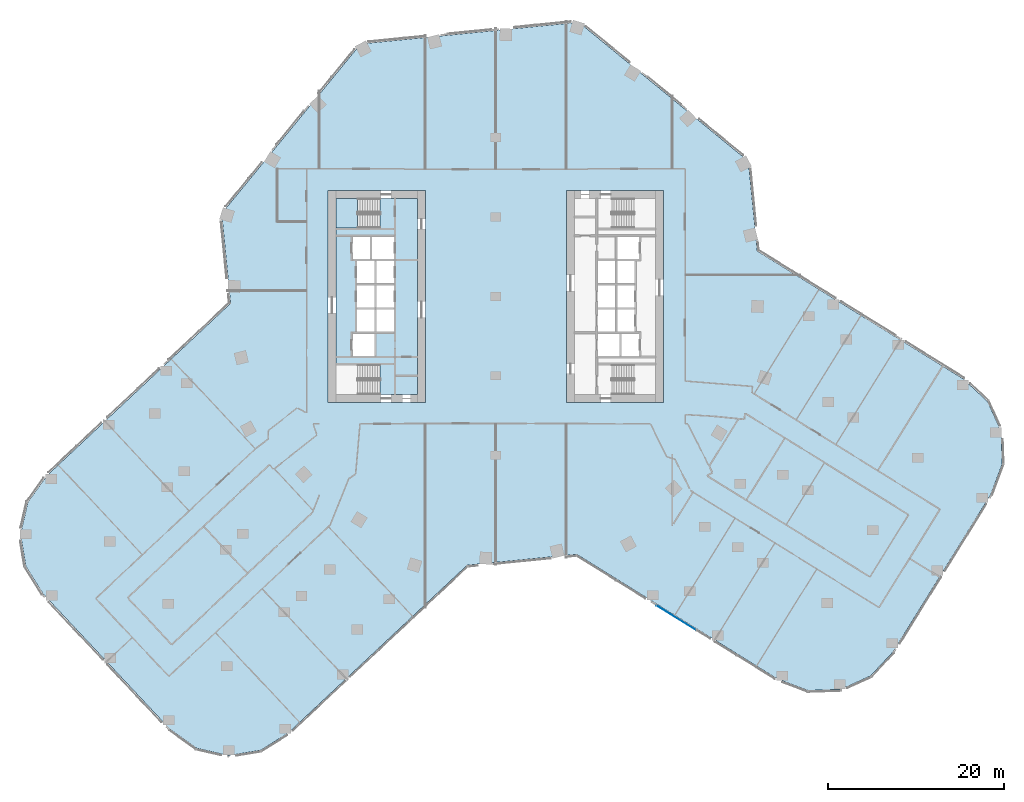
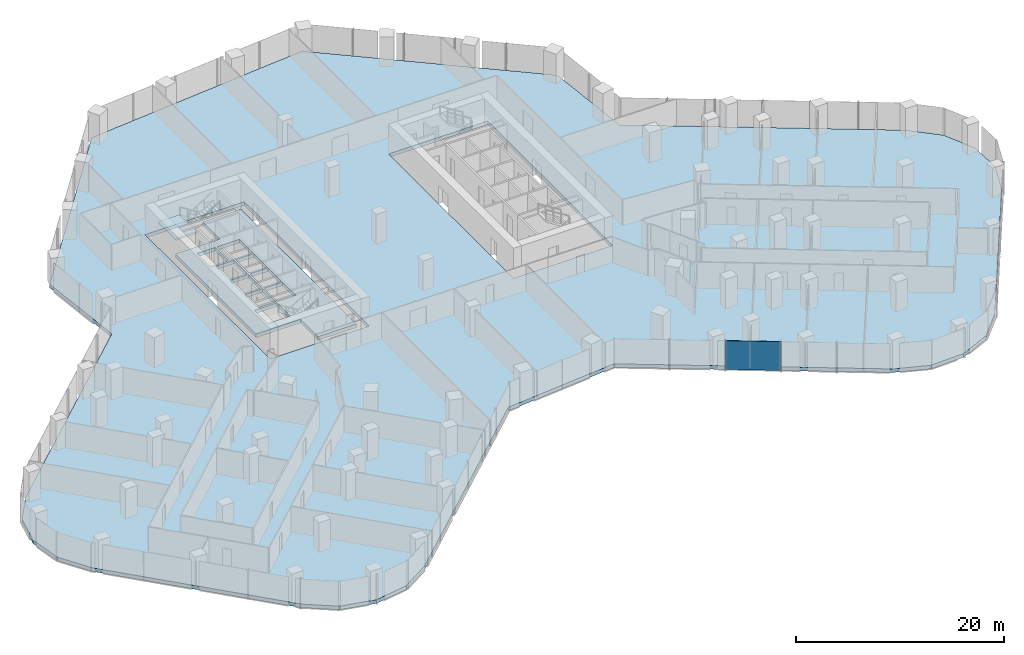
# One storey, part 20 of 34: 3 slabs, 1 plate, 2 elements without a shape of their own.
"""IFC4 building model written with IfcOpenShell, lengths in metres."""

from ifc_helpers import new_model, si_unit, direction, frame, origin, origin_2d, place, context, subcontext, project, spatial, polyline, rectangle, outline, extrude, material, layer, layer_set, type_object, element, aggregate, save


model = new_model("IFC4")

# Units and contexts
model_context = context("Model", 3, precision=1e-05, world=origin(), true_north=direction((0.0, 1.0)))
body_context = subcontext(model_context, "Body", "Model", "MODEL_VIEW")
ifc_project = project(units=[si_unit("LENGTHUNIT", "METRE"), si_unit("AREAUNIT", "SQUARE_METRE"), si_unit("VOLUMEUNIT", "CUBIC_METRE"), si_unit("PLANEANGLEUNIT", "RADIAN"), si_unit("MASSUNIT", "GRAM", prefix="KILO")], contexts=[model_context])

# Site, building, storey
site_placement = place(None, origin())
site = spatial("IfcSite", under=ifc_project, at=site_placement, CompositionType="ELEMENT")
building_placement = place(site_placement, origin())
building = spatial("IfcBuilding", under=site, at=building_placement, Name="Orlundy Tower", CompositionType="ELEMENT")
storey_placement = place(building_placement, frame((0.0, 0.0, 40.800048828125)))
storey = spatial("IfcBuildingStorey", under=building, at=storey_placement, Name="L08", CompositionType="ELEMENT", Elevation=40.800048828125)

# Curtain wall, plate
ifc_material_1 = material(Name="Aluminium bronze anodised", Category="aluminium")
curtain_wall_type = type_object("IfcCurtainWallType", Name="CW1 wall", PredefinedType="NOTDEFINED", material=ifc_material_1)
curtain_wall_placement = place(storey_placement, origin())
curtain_wall = element("IfcCurtainWall", 1, at=curtain_wall_placement, inside=storey, type_object=curtain_wall_type, Name="CW1 run 016", PredefinedType="NOTDEFINED")
ifc_material_2 = material(Name="Tinted glass", Category="glass")
ifc_layer_1 = layer(ifc_material_2, 0.031982421875)
ifc_layer_set_1 = layer_set([ifc_layer_1], Name="CW1 glass panel 32")
plate_type = type_object("IfcPlateType", Name="CW1 glass panel 32", PredefinedType="CURTAIN_PANEL", material=ifc_layer_set_1)
plate_placement = place(storey_placement, frame((20.466064453125, -36.43994140625, -0.300048828125), z_axis=(0.0, 0.0, 1.0), x_axis=(-0.849586512969, 0.52744929328, 0.0)))
plate = element("IfcPlate", 2, at=plate_placement, type_object=plate_type, Name="CW1 panel", PredefinedType="CURTAIN_PANEL", context=body_context, shape_type="SweptSolid", body=[
    extrude(rectangle(XDim=5.306640625, YDim=0.031982421875, at=origin_2d()), origin(), (0.0, 0.0, 1.0), 3.3798828125),
])
aggregate(curtain_wall, [plate])

# Slab
ifc_material_3 = material(Name="Concrete C50/60", Category="concrete")
ifc_layer_2 = layer(ifc_material_3, 0.419921875)
ifc_layer_set_2 = layer_set([ifc_layer_2], Name="Core Floor Slab 420")
slab_type_1 = type_object("IfcSlabType", Name="Core Floor Slab 420", PredefinedType="FLOOR", material=ifc_layer_set_2)
slab_1_placement = place(storey_placement, frame((0.0, 0.0, -0.420166015625)))
element("IfcSlab", 3, at=slab_1_placement, inside=storey, type_object=slab_type_1, Name="Core floor W09", PredefinedType="FLOOR", context=body_context, shape_type="SweptSolid", body=[
    extrude(outline(polyline([(-13.14501953125, 7.75), (-13.14501953125, 11.10009765625), (-8.89990234375, 11.10009765625), (-8.89990234375, -11.10009765625), (-13.14501953125, -11.10009765625), (-13.14501953125, -7.75), (-18.10009765625, -7.75), (-18.10009765625, 7.75), (-13.14501953125, 7.75)]), holes=[polyline([(-16.239990234375, -6.77490234375), (-13.739990234375, -6.77490234375), (-13.739990234375, -4.22509765625), (-16.239990234375, -4.22509765625), (-16.239990234375, -6.77490234375)]), polyline([(-13.5400390625, -1.47509765625), (-13.5400390625, -4.02490234375), (-11.5400390625, -4.02490234375), (-11.5400390625, -1.47509765625), (-13.5400390625, -1.47509765625)]), polyline([(-13.739990234375, -1.47509765625), (-15.739990234375, -1.47509765625), (-15.739990234375, -4.02490234375), (-13.739990234375, -4.02490234375), (-13.739990234375, -1.47509765625)]), polyline([(-11.5400390625, -1.27490234375), (-11.5400390625, 1.27490234375), (-13.5400390625, 1.27490234375), (-13.5400390625, -1.27490234375), (-11.5400390625, -1.27490234375)]), polyline([(-15.739990234375, -1.27490234375), (-13.739990234375, -1.27490234375), (-13.739990234375, 1.27490234375), (-15.739990234375, 1.27490234375), (-15.739990234375, -1.27490234375)]), polyline([(-13.5400390625, 4.02490234375), (-13.5400390625, 1.47509765625), (-11.5400390625, 1.47509765625), (-11.5400390625, 4.02490234375), (-13.5400390625, 4.02490234375)]), polyline([(-13.739990234375, 4.02490234375), (-15.739990234375, 4.02490234375), (-15.739990234375, 1.47509765625), (-13.739990234375, 1.47509765625), (-13.739990234375, 4.02490234375)]), polyline([(-11.5400390625, 4.22509765625), (-11.5400390625, 6.77490234375), (-14.0400390625, 6.77490234375), (-14.0400390625, 4.22509765625), (-11.5400390625, 4.22509765625)]), polyline([(-16.239990234375, 4.22509765625), (-14.239990234375, 4.22509765625), (-14.239990234375, 6.77490234375), (-16.239990234375, 6.77490234375), (-16.239990234375, 4.22509765625)])]), origin(), (0.0, 0.0, 1.0), 0.420166015625),
])

# Stair, slab
ifc_material_4 = material(Name="Concrete C50/60", Category="concrete")
stair_type = type_object("IfcStairType", Name="Exit Stair 20 risers", PredefinedType="HALF_TURN_STAIR", material=ifc_material_4)
stair_placement = place(storey_placement, origin())
stair = element("IfcStair", 4, at=stair_placement, inside=storey, type_object=stair_type, Name="L08 Exit Stair ST-W1", PredefinedType="HALF_TURN_STAIR")
ifc_material_5 = material(Name="Concrete C50/60", Category="concrete")
ifc_layer_3 = layer(ifc_material_5, 0.199951171875)
ifc_layer_set_3 = layer_set([ifc_layer_3], Name="Exit Stair Landing")
slab_type_2 = type_object("IfcSlabType", Name="Exit Stair Landing", PredefinedType="LANDING", material=ifc_layer_set_3)
slab_2_placement = place(storey_placement, frame((0.0, 0.0, 1.550048828125)))
slab_2 = element("IfcSlab", 5, at=slab_2_placement, type_object=slab_type_2, Name="ST-W1 landing 1", PredefinedType="LANDING", context=body_context, shape_type="SweptSolid", body=[
    extrude(outline(polyline([(-15.659912109375, 11.10009765625), (-18.10009765625, 11.10009765625), (-18.10009765625, 7.75), (-15.659912109375, 7.75), (-15.659912109375, 11.10009765625)])), origin(), (0.0, 0.0, 1.0), 0.199951171875),
])
aggregate(stair, [slab_2])

# Slab
ifc_material_6 = material(Name="Concrete C45/55", Category="concrete")
ifc_layer_4 = layer(ifc_material_6, 0.419921875)
ifc_layer_set_4 = layer_set([ifc_layer_4], Name="TRANSFER FLOOR SLAB 420 C45/55")
slab_type_3 = type_object("IfcSlabType", Name="TRANSFER FLOOR SLAB 420 C45/55", PredefinedType="FLOOR", material=ifc_layer_set_4)
slab_3_placement = place(storey_placement, frame((0.0, 0.0, -0.420166015625)))
element("IfcSlab", 6, at=slab_3_placement, inside=storey, type_object=slab_type_3, Name="Floor slab L08", PredefinedType="FLOOR", context=body_context, shape_type="SweptSolid", body=[
    extrude(outline(polyline([(-30.070068359375, -0.782958984375), (-31.080078125, 9.403076171875), (-15.327880859375, 28.6259765625), (9.403076171875, 31.080078125), (28.6259765625, 15.327880859375), (29.636962890625, 5.14111328125), (53.028076171875, -9.381103515625), (55.736083984375, -11.9130859375), (57.26806640625, -15.2880859375), (57.39208984375, -18.992919921875), (56.089111328125, -22.462890625), (45.011962890625, -40.303955078125), (42.47998046875, -43.010986328125), (39.10498046875, -44.54296875), (35.39990234375, -44.6669921875), (31.929931640625, -43.364013671875), (9.175048828125, -29.237060546875), (-3.25, -30.469970703125), (-23.514892578125, -49.47802734375), (-26.662109375, -51.43701171875), (-30.318115234375, -52.0439453125), (-33.928955078125, -51.205078125), (-36.943115234375, -49.048095703125), (-51.31005859375, -33.73095703125), (-53.27001953125, -30.5849609375), (-53.8759765625, -26.927978515625), (-53.037109375, -23.31689453125), (-50.8798828125, -20.302978515625), (-30.070068359375, -0.782958984375)]), holes=[polyline([(-8.0, -12.0), (-8.0, 12.0), (-19.0, 12.0), (-19.0, -12.0), (-8.0, -12.0)]), polyline([(19.0, -12.0), (19.0, 12.0), (8.0, 12.0), (8.0, -12.0), (19.0, -12.0)])]), origin(), (0.0, 0.0, 1.0), 0.420166015625),
])

save(model, "model.ifc")
